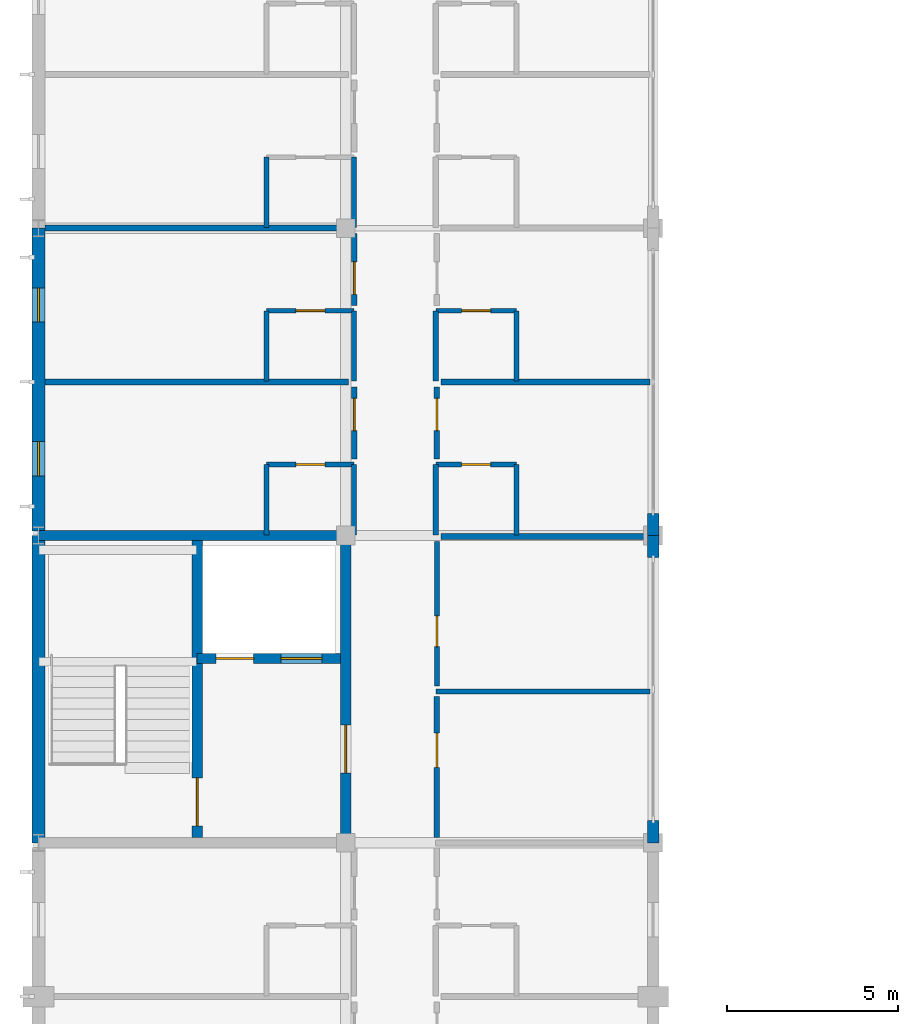
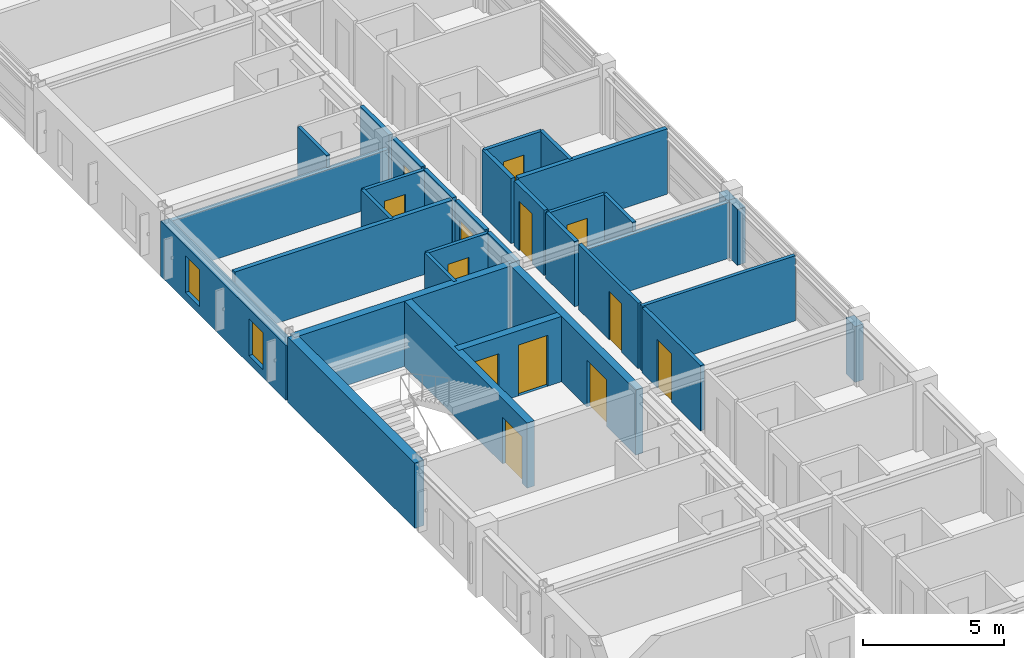
# One storey, part 22 of 37: 33 walls, 13 doors, 2 windows, 15 openings.
"""IFC4 building model written with IfcOpenShell, lengths in metres."""

from ifc_helpers import new_model, si_unit, direction, frame, frame_2d, origin, place, context, subcontext, project, spatial, rectangle, extrude, material, layer, layer_set, type_object, element, fill, save


model = new_model("IFC4")

# Units and contexts
model_context = context("Model", 3, precision=1e-05, world=origin(), true_north=direction((0.0, 1.0)))
body_context = subcontext(model_context, "Body", "Model", "MODEL_VIEW")
ifc_project = project(units=[si_unit("LENGTHUNIT", "METRE"), si_unit("AREAUNIT", "SQUARE_METRE"), si_unit("VOLUMEUNIT", "CUBIC_METRE"), si_unit("PLANEANGLEUNIT", "RADIAN"), si_unit("MASSUNIT", "GRAM", prefix="KILO")], contexts=[model_context])

# Site, building, storey
site_placement = place(None, origin())
site = spatial("IfcSite", under=ifc_project, at=site_placement, CompositionType="ELEMENT")
building_placement = place(site_placement, origin())
building = spatial("IfcBuilding", under=site, at=building_placement, Name="Palais des Congres Ocreval", CompositionType="ELEMENT")
storey_placement = place(building_placement, frame((0.0, 0.0, 11.52001953125)))
storey = spatial("IfcBuildingStorey", under=building, at=storey_placement, Name="L03", CompositionType="ELEMENT", Elevation=11.52001953125)

# Wall, opening, door
ifc_material_1 = material(Name="Moisture-resistant gypsum board")
ifc_layer_1 = layer(ifc_material_1, 0.139892578125)
ifc_layer_set_1 = layer_set([ifc_layer_1], Name="Bathroom Plumbing Chase Wall 140 Gypsum (Moisture-resistant gypsum board)")
wall_type_1 = type_object("IfcWallType", Name="Bathroom Plumbing Chase Wall 140 Gypsum", PredefinedType="PLUMBINGWALL", material=ifc_layer_set_1)
wall_1_placement = place(storey_placement, frame((6.679931640625, 47.080078125, 0.0), z_axis=(0.0, 0.0, 1.0), x_axis=(1.0, 0.0, 0.0)))
wall_1 = element("IfcWall", 1, at=wall_1_placement, inside=storey, type_object=wall_type_1, Name="Bathroom Plumbing Wall PW03 L03", PredefinedType="PLUMBINGWALL", context=body_context, shape_type="SweptSolid", body=[
    extrude(rectangle(XDim=2.56005859375, YDim=0.139892578125, at=frame_2d((1.280029296875, 0.0))), origin(), (0.0, 0.0, 1.0), 2.820068359375),
])
opening_1_placement = place(wall_1_placement, frame((0.85498046875, 0.0, 0.0)))
opening_1 = element("IfcOpeningElement", 2, at=opening_1_placement, cuts=wall_1, Name="Opening D08", PredefinedType="OPENING", context=body_context, shape_type="SweptSolid", body=[
    extrude(rectangle(XDim=0.85009765625, YDim=2.0400390625, at=frame_2d((0.425048828125, 1.02001953125))), frame((0.0, 0.079833984375, 0.0), z_axis=(0.0, -1.0, 0.0), x_axis=(1.0, 0.0, 0.0)), (0.0, 0.0, 1.0), 0.159912109375),
])
ifc_material_2 = material(Name="Solid French oak", Category="wood")
door_type_1 = type_object("IfcDoorType", Name="En-Suite Bathroom Door 850x2040", OperationType="NOTDEFINED", PredefinedType="DOOR", material=ifc_material_2)
door_1_placement = place(opening_1_placement, origin())
door_1 = element("IfcDoor", 3, at=door_1_placement, inside=storey, type_object=door_type_1, Name="En-Suite Bathroom Door D08 L03", OperationType="SINGLE_SWING_LEFT", OverallHeight=2.0400390625, OverallWidth=0.85009765625, PredefinedType="DOOR", context=body_context, shape_type="SweptSolid", body=[
    extrude(rectangle(XDim=0.85009765625, YDim=2.0400390625, at=frame_2d((0.425048828125, 1.02001953125))), frame((0.0, 0.02490234375, 0.0), z_axis=(0.0, -1.0, 0.0), x_axis=(1.0, 0.0, 0.0)), (0.0, 0.0, 1.0), 0.050048828125),
])
fill(opening_1, door_1)

# Wall
wall_2_placement = place(storey_placement, frame((6.679931640625, 45.02001953125, 0.0), z_axis=(0.0, 0.0, 1.0), x_axis=(0.0, 1.0, 0.0)))
element("IfcWall", 4, at=wall_2_placement, inside=storey, type_object=wall_type_1, Name="Bathroom Plumbing Wall PW03 L03", PredefinedType="PLUMBINGWALL", context=body_context, shape_type="SweptSolid", body=[
    extrude(rectangle(XDim=2.06005859375, YDim=0.139892578125, at=frame_2d((1.030029296875, 0.0))), origin(), (0.0, 0.0, 1.0), 2.820068359375),
])

# Wall, opening, door
wall_3_placement = place(storey_placement, frame((6.679931640625, 51.580078125, 0.0), z_axis=(0.0, 0.0, 1.0), x_axis=(1.0, 0.0, 0.0)))
wall_3 = element("IfcWall", 5, at=wall_3_placement, inside=storey, type_object=wall_type_1, Name="Bathroom Plumbing Wall PW03 L03", PredefinedType="PLUMBINGWALL", context=body_context, shape_type="SweptSolid", body=[
    extrude(rectangle(XDim=2.56005859375, YDim=0.139892578125, at=frame_2d((1.280029296875, 0.0))), origin(), (0.0, 0.0, 1.0), 2.820068359375),
])
opening_2_placement = place(wall_3_placement, frame((0.85498046875, 0.0, 0.0)))
opening_2 = element("IfcOpeningElement", 6, at=opening_2_placement, cuts=wall_3, Name="Opening D08", PredefinedType="OPENING", context=body_context, shape_type="SweptSolid", body=[
    extrude(rectangle(XDim=0.85009765625, YDim=2.0400390625, at=frame_2d((0.425048828125, 1.02001953125))), frame((0.0, 0.079833984375, 0.0), z_axis=(0.0, -1.0, 0.0), x_axis=(1.0, 0.0, 0.0)), (0.0, 0.0, 1.0), 0.159912109375),
])
door_2_placement = place(opening_2_placement, origin())
door_2 = element("IfcDoor", 7, at=door_2_placement, inside=storey, type_object=door_type_1, Name="En-Suite Bathroom Door D08 L03", OperationType="SINGLE_SWING_RIGHT", OverallHeight=2.0400390625, OverallWidth=0.85009765625, PredefinedType="DOOR", context=body_context, shape_type="SweptSolid", body=[
    extrude(rectangle(XDim=0.85009765625, YDim=2.0400390625, at=frame_2d((0.425048828125, 1.02001953125))), frame((0.0, 0.02490234375, 0.0), z_axis=(0.0, -1.0, 0.0), x_axis=(1.0, 0.0, 0.0)), (0.0, 0.0, 1.0), 0.050048828125),
])
fill(opening_2, door_2)

# Wall
wall_4_placement = place(storey_placement, frame((6.679931640625, 49.52001953125, 0.0), z_axis=(0.0, 0.0, 1.0), x_axis=(0.0, 1.0, 0.0)))
element("IfcWall", 8, at=wall_4_placement, inside=storey, type_object=wall_type_1, Name="Bathroom Plumbing Wall PW03 L03", PredefinedType="PLUMBINGWALL", context=body_context, shape_type="SweptSolid", body=[
    extrude(rectangle(XDim=2.06005859375, YDim=0.139892578125, at=frame_2d((1.030029296875, 0.0))), origin(), (0.0, 0.0, 1.0), 2.820068359375),
])

# Wall, opening, door
wall_5_placement = place(storey_placement, frame((11.639892578125, 47.080078125, 0.0), z_axis=(0.0, 0.0, 1.0), x_axis=(1.0, 0.0, 0.0)))
wall_5 = element("IfcWall", 9, at=wall_5_placement, inside=storey, type_object=wall_type_1, Name="Bathroom Plumbing Wall PW03 L03", PredefinedType="PLUMBINGWALL", context=body_context, shape_type="SweptSolid", body=[
    extrude(rectangle(XDim=2.360107421875, YDim=0.139892578125, at=frame_2d((1.18017578125, 0.0))), origin(), (0.0, 0.0, 1.0), 2.820068359375),
])
opening_3_placement = place(wall_5_placement, frame((0.7548828125, 0.0, 0.0)))
opening_3 = element("IfcOpeningElement", 10, at=opening_3_placement, cuts=wall_5, Name="Opening D08", PredefinedType="OPENING", context=body_context, shape_type="SweptSolid", body=[
    extrude(rectangle(XDim=0.85009765625, YDim=2.0400390625, at=frame_2d((0.425048828125, 1.02001953125))), frame((0.0, 0.079833984375, 0.0), z_axis=(0.0, -1.0, 0.0), x_axis=(1.0, 0.0, 0.0)), (0.0, 0.0, 1.0), 0.159912109375),
])
door_3_placement = place(opening_3_placement, origin())
door_3 = element("IfcDoor", 11, at=door_3_placement, inside=storey, type_object=door_type_1, Name="En-Suite Bathroom Door D08 L03", OperationType="SINGLE_SWING_LEFT", OverallHeight=2.0400390625, OverallWidth=0.85009765625, PredefinedType="DOOR", context=body_context, shape_type="SweptSolid", body=[
    extrude(rectangle(XDim=0.85009765625, YDim=2.0400390625, at=frame_2d((0.425048828125, 1.02001953125))), frame((0.0, 0.02490234375, 0.0), z_axis=(0.0, -1.0, 0.0), x_axis=(1.0, 0.0, 0.0)), (0.0, 0.0, 1.0), 0.050048828125),
])
fill(opening_3, door_3)

# Wall
wall_6_placement = place(storey_placement, frame((14.0, 45.02001953125, 0.0), z_axis=(0.0, 0.0, 1.0), x_axis=(0.0, 1.0, 0.0)))
element("IfcWall", 12, at=wall_6_placement, inside=storey, type_object=wall_type_1, Name="Bathroom Plumbing Wall PW03 L03", PredefinedType="PLUMBINGWALL", context=body_context, shape_type="SweptSolid", body=[
    extrude(rectangle(XDim=2.06005859375, YDim=0.139892578125, at=frame_2d((1.030029296875, 0.0))), origin(), (0.0, 0.0, 1.0), 2.820068359375),
])

# Wall, opening, door
wall_7_placement = place(storey_placement, frame((11.639892578125, 51.580078125, 0.0), z_axis=(0.0, 0.0, 1.0), x_axis=(1.0, 0.0, 0.0)))
wall_7 = element("IfcWall", 13, at=wall_7_placement, inside=storey, type_object=wall_type_1, Name="Bathroom Plumbing Wall PW03 L03", PredefinedType="PLUMBINGWALL", context=body_context, shape_type="SweptSolid", body=[
    extrude(rectangle(XDim=2.360107421875, YDim=0.139892578125, at=frame_2d((1.18017578125, 0.0))), origin(), (0.0, 0.0, 1.0), 2.820068359375),
])
opening_4_placement = place(wall_7_placement, frame((0.7548828125, 0.0, 0.0)))
opening_4 = element("IfcOpeningElement", 14, at=opening_4_placement, cuts=wall_7, Name="Opening D08", PredefinedType="OPENING", context=body_context, shape_type="SweptSolid", body=[
    extrude(rectangle(XDim=0.85009765625, YDim=2.0400390625, at=frame_2d((0.425048828125, 1.02001953125))), frame((0.0, 0.079833984375, 0.0), z_axis=(0.0, -1.0, 0.0), x_axis=(1.0, 0.0, 0.0)), (0.0, 0.0, 1.0), 0.159912109375),
])
door_4_placement = place(opening_4_placement, origin())
door_4 = element("IfcDoor", 15, at=door_4_placement, inside=storey, type_object=door_type_1, Name="En-Suite Bathroom Door D08 L03", OperationType="SINGLE_SWING_RIGHT", OverallHeight=2.0400390625, OverallWidth=0.85009765625, PredefinedType="DOOR", context=body_context, shape_type="SweptSolid", body=[
    extrude(rectangle(XDim=0.85009765625, YDim=2.0400390625, at=frame_2d((0.425048828125, 1.02001953125))), frame((0.0, 0.02490234375, 0.0), z_axis=(0.0, -1.0, 0.0), x_axis=(1.0, 0.0, 0.0)), (0.0, 0.0, 1.0), 0.050048828125),
])
fill(opening_4, door_4)

# Walls
for number, where, z_axis, x_axis, name in (
    (16, (14.0, 49.52001953125, 0.0), (0.0, 0.0, 1.0), (0.0, 1.0, 0.0), "Bathroom Plumbing Wall PW03 L03"),
    (17, (6.679931640625, 54.02001953125, 0.0), (0.0, 0.0, 1.0), (0.0, 1.0, 0.0), "Bathroom Plumbing Wall PW03 L03"),
):
    element("IfcWall", number, at=place(storey_placement, frame(where, z_axis=z_axis, x_axis=x_axis)), inside=storey, type_object=wall_type_1, Name=name, PredefinedType="PLUMBINGWALL", context=body_context, shape_type="SweptSolid", body=[
        extrude(rectangle(XDim=2.06005859375, YDim=0.139892578125, at=frame_2d((1.030029296875, 0.0))), origin(), (0.0, 0.0, 1.0), 2.820068359375),
    ])
wall_8_placement = place(storey_placement, frame((11.639892578125, 40.43505859375, 0.0), z_axis=(0.0, 0.0, 1.0), x_axis=(1.0, 0.0, 0.0)))
element("IfcWall", 18, at=wall_8_placement, inside=storey, type_object=wall_type_1, Name="Interior Partition PW03 L03", PredefinedType="PLUMBINGWALL", context=body_context, shape_type="SweptSolid", body=[
    extrude(rectangle(XDim=6.26513671875, YDim=0.139892578125, at=frame_2d((3.132568359375, 0.0))), origin(), (0.0, 0.0, 1.0), 2.820068359375),
])

# Wall, opening, door
wall_9_placement = place(storey_placement, frame((11.669921875, 40.590087890625, 0.0), z_axis=(0.0, 0.0, 1.0), x_axis=(0.0, 1.0, 0.0)))
wall_9 = element("IfcWall", 19, at=wall_9_placement, inside=storey, type_object=wall_type_1, Name="Interior Partition PW03 L03", PredefinedType="PLUMBINGWALL", context=body_context, shape_type="SweptSolid", body=[
    extrude(rectangle(XDim=4.22998046875, YDim=0.139892578125, at=frame_2d((2.114990234375, 0.0))), origin(), (0.0, 0.0, 1.0), 2.820068359375),
])
opening_5_placement = place(wall_9_placement, frame((1.157470703125, 0.0, 0.0)))
opening_5 = element("IfcOpeningElement", 20, at=opening_5_placement, cuts=wall_9, Name="Opening D09", PredefinedType="OPENING", context=body_context, shape_type="SweptSolid", body=[
    extrude(rectangle(XDim=0.89990234375, YDim=2.10009765625, at=frame_2d((0.449951171875, 1.050048828125))), frame((0.0, 0.079833984375, 0.0), z_axis=(0.0, -1.0, 0.0), x_axis=(1.0, 0.0, 0.0)), (0.0, 0.0, 1.0), 0.159912109375),
])
door_type_2 = type_object("IfcDoorType", Name="Accessible Restroom Door 900x2100", OperationType="NOTDEFINED", PredefinedType="DOOR", material=ifc_material_2)
door_5_placement = place(opening_5_placement, origin())
door_5 = element("IfcDoor", 21, at=door_5_placement, inside=storey, type_object=door_type_2, Name="Interior Door D09 L03", OperationType="SINGLE_SWING_LEFT", OverallHeight=2.10009765625, OverallWidth=0.89990234375, PredefinedType="DOOR", context=body_context, shape_type="SweptSolid", body=[
    extrude(rectangle(XDim=0.89990234375, YDim=2.10009765625, at=frame_2d((0.449951171875, 1.050048828125))), frame((0.0, 0.02490234375, 0.0), z_axis=(0.0, -1.0, 0.0), x_axis=(1.0, 0.0, 0.0)), (0.0, 0.0, 1.0), 0.050048828125),
])
fill(opening_5, door_5)

ifc_material_3 = material(Name="Concrete C40/50", Category="concrete")
ifc_layer_2 = layer(ifc_material_3, 0.300048828125)
ifc_layer_set_2 = layer_set([ifc_layer_2], Name="Core Shear Wall 300 Concrete C40/50")
wall_type_2 = type_object("IfcWallType", Name="Core Shear Wall 300 Concrete C40/50", PredefinedType="SHEAR", material=ifc_layer_set_2)
wall_10_placement = place(storey_placement, frame((9.0, 36.0, 0.0), z_axis=(0.0, 0.0, 1.0), x_axis=(0.0, 1.0, 0.0)))
wall_10 = element("IfcWall", 22, at=wall_10_placement, inside=storey, type_object=wall_type_2, Name="Core Shear Wall SC03 L03 E", PredefinedType="SHEAR", context=body_context, shape_type="SweptSolid", body=[
    extrude(rectangle(XDim=9.0, YDim=0.300048828125, at=frame_2d((4.5, 0.0))), origin(), (0.0, 0.0, 1.0), 2.820068359375),
])
opening_6_placement = place(wall_10_placement, frame((2.050048828125, 0.0, 0.0)))
opening_6 = element("IfcOpeningElement", 23, at=opening_6_placement, cuts=wall_10, Name="Opening D03", PredefinedType="OPENING", context=body_context, shape_type="SweptSolid", body=[
    extrude(rectangle(XDim=1.39990234375, YDim=2.02001953125, at=frame_2d((0.699951171875, 1.010009765625))), frame((0.0, 0.159912109375, 0.0), z_axis=(0.0, -1.0, 0.0), x_axis=(1.0, 0.0, 0.0)), (0.0, 0.0, 1.0), 0.320068359375),
])
ifc_material_4 = material(Name="Painted fire-rated steel", Category="steel")
door_type_3 = type_object("IfcDoorType", Name="Core Lobby Rated Door 1400x2020", OperationType="NOTDEFINED", PredefinedType="DOOR", material=ifc_material_4)
door_6_placement = place(opening_6_placement, origin())
door_6 = element("IfcDoor", 24, at=door_6_placement, inside=storey, type_object=door_type_3, Name="Firefighting Lobby Entrance Door SC03 L03", OperationType="DOUBLE_DOOR_SINGLE_SWING", OverallHeight=2.02001953125, OverallWidth=1.39990234375, PredefinedType="DOOR", context=body_context, shape_type="SweptSolid", body=[
    extrude(rectangle(XDim=1.39990234375, YDim=2.02001953125, at=frame_2d((0.699951171875, 1.010009765625))), frame((0.0, 0.02490234375, 0.0), z_axis=(0.0, -1.0, 0.0), x_axis=(1.0, 0.0, 0.0)), (0.0, 0.0, 1.0), 0.050048828125),
])
fill(opening_6, door_6)

# Wall
wall_11_placement = place(storey_placement, frame((0.0, 45.0, 0.0), z_axis=(0.0, 0.0, 1.0), x_axis=(1.0, 0.0, 0.0)))
element("IfcWall", 25, at=wall_11_placement, inside=storey, type_object=wall_type_2, Name="Core Shear Wall SC03 L03 N", PredefinedType="SHEAR", context=body_context, shape_type="SweptSolid", body=[
    extrude(rectangle(XDim=9.0, YDim=0.300048828125, at=frame_2d((4.5, 0.0))), origin(), (0.0, 0.0, 1.0), 2.820068359375),
])

# Wall, opening, door
wall_12_placement = place(storey_placement, frame((4.64990234375, 36.14990234375, 0.0), z_axis=(0.0, 0.0, 1.0), x_axis=(0.0, 1.0, 0.0)))
wall_12 = element("IfcWall", 26, at=wall_12_placement, inside=storey, type_object=wall_type_2, Name="Core Spine Shear Wall SC03 L03", PredefinedType="SHEAR", context=body_context, shape_type="SweptSolid", body=[
    extrude(rectangle(XDim=8.7001953125, YDim=0.300048828125, at=frame_2d((4.35009765625, 0.0))), origin(), (0.0, 0.0, 1.0), 2.820068359375),
])
opening_7_placement = place(wall_12_placement, frame((0.35009765625, 0.0, 0.0)))
opening_7 = element("IfcOpeningElement", 27, at=opening_7_placement, cuts=wall_12, Name="Opening D03", PredefinedType="OPENING", context=body_context, shape_type="SweptSolid", body=[
    extrude(rectangle(XDim=1.39990234375, YDim=2.02001953125, at=frame_2d((0.699951171875, 1.010009765625))), frame((0.0, 0.159912109375, 0.0), z_axis=(0.0, -1.0, 0.0), x_axis=(1.0, 0.0, 0.0)), (0.0, 0.0, 1.0), 0.320068359375),
])
door_7_placement = place(opening_7_placement, origin())
door_7 = element("IfcDoor", 28, at=door_7_placement, inside=storey, type_object=door_type_3, Name="Protected Exit Stair Door ST03 L03", OperationType="SINGLE_SWING_LEFT", OverallHeight=2.02001953125, OverallWidth=1.39990234375, PredefinedType="DOOR", context=body_context, shape_type="SweptSolid", body=[
    extrude(rectangle(XDim=1.39990234375, YDim=2.02001953125, at=frame_2d((0.699951171875, 1.010009765625))), frame((0.0, 0.02490234375, 0.0), z_axis=(0.0, -1.0, 0.0), x_axis=(1.0, 0.0, 0.0)), (0.0, 0.0, 1.0), 0.050048828125),
])
fill(opening_7, door_7)

# Wall, openings, doors
wall_13_placement = place(storey_placement, frame((4.64990234375, 41.39990234375, 0.0), z_axis=(0.0, 0.0, 1.0), x_axis=(1.0, 0.0, 0.0)))
wall_13 = element("IfcWall", 29, at=wall_13_placement, inside=storey, type_object=wall_type_2, Name="Lift Shaft Front Wall SC03 L03", PredefinedType="SHEAR", context=body_context, shape_type="SweptSolid", body=[
    extrude(rectangle(XDim=4.2001953125, YDim=0.300048828125, at=frame_2d((2.10009765625, 0.0))), origin(), (0.0, 0.0, 1.0), 2.820068359375),
])
opening_8_placement = place(wall_13_placement, frame((0.550048828125, 0.0, 0.0)))
opening_8 = element("IfcOpeningElement", 30, at=opening_8_placement, cuts=wall_13, Name="Opening LD01", PredefinedType="OPENING", context=body_context, shape_type="SweptSolid", body=[
    extrude(rectangle(XDim=1.10009765625, YDim=2.10009765625, at=frame_2d((0.550048828125, 1.050048828125))), frame((0.0, 0.159912109375, 0.0), z_axis=(0.0, -1.0, 0.0), x_axis=(1.0, 0.0, 0.0)), (0.0, 0.0, 1.0), 0.320068359375),
])
opening_9_placement = place(wall_13_placement, frame((2.449951171875, 0.0, 0.0)))
opening_9 = element("IfcOpeningElement", 31, at=opening_9_placement, cuts=wall_13, Name="Opening LD02", PredefinedType="OPENING", context=body_context, shape_type="SweptSolid", body=[
    extrude(rectangle(XDim=1.199951171875, YDim=2.199951171875, at=frame_2d((0.60009765625, 1.10009765625))), frame((0.0, 0.159912109375, 0.0), z_axis=(0.0, -1.0, 0.0), x_axis=(1.0, 0.0, 0.0)), (0.0, 0.0, 1.0), 0.320068359375),
])
ifc_material_5 = material(Name="Stainless steel", Category="steel")
door_type_4 = type_object("IfcDoorType", Name="Firefighting Lift Sliding Landing Door 1100x2100", OperationType="NOTDEFINED", PredefinedType="DOOR", material=ifc_material_5)
door_8_placement = place(opening_8_placement, origin())
door_8 = element("IfcDoor", 32, at=door_8_placement, inside=storey, type_object=door_type_4, Name="Lift Landing Sliding Door FF3 L03", OperationType="DOUBLE_DOOR_SLIDING", OverallHeight=2.10009765625, OverallWidth=1.10009765625, PredefinedType="DOOR", context=body_context, shape_type="SweptSolid", body=[
    extrude(rectangle(XDim=1.10009765625, YDim=2.10009765625, at=frame_2d((0.550048828125, 1.050048828125))), frame((0.0, 0.02490234375, 0.0), z_axis=(0.0, -1.0, 0.0), x_axis=(1.0, 0.0, 0.0)), (0.0, 0.0, 1.0), 0.050048828125),
])
fill(opening_8, door_8)
ifc_material_6 = material(Name="Anodized bronze steel", Category="steel")
door_type_5 = type_object("IfcDoorType", Name="Passenger and Service Lift Sliding Door 1200x2200", OperationType="NOTDEFINED", PredefinedType="DOOR", material=ifc_material_6)
door_9_placement = place(opening_9_placement, origin())
door_9 = element("IfcDoor", 33, at=door_9_placement, inside=storey, type_object=door_type_5, Name="Lift Landing Sliding Door PL3 L03", OperationType="DOUBLE_DOOR_SLIDING", OverallHeight=2.199951171875, OverallWidth=1.199951171875, PredefinedType="DOOR", context=body_context, shape_type="SweptSolid", body=[
    extrude(rectangle(XDim=1.199951171875, YDim=2.199951171875, at=frame_2d((0.60009765625, 1.10009765625))), frame((0.0, 0.02490234375, 0.0), z_axis=(0.0, -1.0, 0.0), x_axis=(1.0, 0.0, 0.0)), (0.0, 0.0, 1.0), 0.050048828125),
])
fill(opening_9, door_9)

# Walls
ifc_material_7 = material(Name="Gypsum acoustic partition")
ifc_layer_3 = layer(ifc_material_7, 0.159912109375)
ifc_layer_set_3 = layer_set([ifc_layer_3], Name="Corridor Fire Partition 160 Gypsum (Gypsum acoustic partition)")
wall_type_3 = type_object("IfcWallType", Name="Corridor Fire Partition 160 Gypsum", PredefinedType="PARTITIONING", material=ifc_layer_set_3)
for number, where, z_axis, x_axis, name in (
    (34, (9.239990234375, 45.02001953125, 0.0), (0.0, 0.0, 1.0), (0.0, 1.0, 0.0), "Corridor Partition IW03 L03"),
    (35, (9.239990234375, 49.52001953125, 0.0), (0.0, 0.0, 1.0), (0.0, 1.0, 0.0), "Corridor Partition IW03 L03"),
    (36, (11.639892578125, 45.02001953125, 0.0), (0.0, 0.0, 1.0), (0.0, 1.0, 0.0), "Corridor Partition IW03 L03"),
    (37, (11.639892578125, 49.52001953125, 0.0), (0.0, 0.0, 1.0), (0.0, 1.0, 0.0), "Corridor Partition IW03 L03"),
    (38, (9.239990234375, 54.02001953125, 0.0), (0.0, 0.0, 1.0), (0.0, 1.0, 0.0), "Corridor Partition IW03 L03"),
):
    element("IfcWall", number, at=place(storey_placement, frame(where, z_axis=z_axis, x_axis=x_axis)), inside=storey, type_object=wall_type_3, Name=name, PredefinedType="PARTITIONING", context=body_context, shape_type="SweptSolid", body=[
        extrude(rectangle(XDim=2.06005859375, YDim=0.159912109375, at=frame_2d((1.030029296875, 0.0))), origin(), (0.0, 0.0, 1.0), 2.820068359375),
    ])

# Wall, opening, door
wall_14_placement = place(storey_placement, frame((11.669921875, 36.155029296875, 0.0), z_axis=(0.0, 0.0, 1.0), x_axis=(0.0, 1.0, 0.0)))
wall_14 = element("IfcWall", 39, at=wall_14_placement, inside=storey, type_object=wall_type_3, Name="Interior Partition IW03 L03", PredefinedType="PARTITIONING", context=body_context, shape_type="SweptSolid", body=[
    extrude(rectangle(XDim=4.125, YDim=0.159912109375, at=frame_2d((2.0625, 0.0))), origin(), (0.0, 0.0, 1.0), 2.820068359375),
])
opening_10_placement = place(wall_14_placement, frame((2.0576171875, 0.0, 0.0)))
opening_10 = element("IfcOpeningElement", 40, at=opening_10_placement, cuts=wall_14, Name="Opening D10", PredefinedType="OPENING", context=body_context, shape_type="SweptSolid", body=[
    extrude(rectangle(XDim=1.0, YDim=2.10009765625, at=frame_2d((0.5, 1.050048828125))), frame((0.0, 0.08984375, 0.0), z_axis=(0.0, -1.0, 0.0), x_axis=(1.0, 0.0, 0.0)), (0.0, 0.0, 1.0), 0.179931640625),
])
ifc_material_8 = material(Name="Painted steel", Category="steel")
door_type_6 = type_object("IfcDoorType", Name="Service and Pantry Door 1000x2100", OperationType="NOTDEFINED", PredefinedType="DOOR", material=ifc_material_8)
door_10_placement = place(opening_10_placement, origin())
door_10 = element("IfcDoor", 41, at=door_10_placement, inside=storey, type_object=door_type_6, Name="Interior Door D10 L03", OperationType="SINGLE_SWING_RIGHT", OverallHeight=2.10009765625, OverallWidth=1.0, PredefinedType="DOOR", context=body_context, shape_type="SweptSolid", body=[
    extrude(rectangle(XDim=1.0, YDim=2.10009765625, at=frame_2d((0.5, 1.050048828125))), frame((0.0, 0.02490234375, 0.0), z_axis=(0.0, -1.0, 0.0), x_axis=(1.0, 0.0, 0.0)), (0.0, 0.0, 1.0), 0.050048828125),
])
fill(opening_10, door_10)

wall_15_placement = place(storey_placement, frame((9.25, 47.235107421875, 0.0), z_axis=(0.0, 0.0, 1.0), x_axis=(0.0, 1.0, 0.0)))
wall_15 = element("IfcWall", 42, at=wall_15_placement, inside=storey, type_object=wall_type_3, Name="Interior Partition IW03 L03", PredefinedType="PARTITIONING", context=body_context, shape_type="SweptSolid", body=[
    extrude(rectangle(XDim=2.10986328125, YDim=0.159912109375, at=frame_2d((1.054931640625, 0.0))), origin(), (0.0, 0.0, 1.0), 2.820068359375),
])
opening_11_placement = place(wall_15_placement, frame((0.833251953125, 0.0, 0.0)))
opening_11 = element("IfcOpeningElement", 43, at=opening_11_placement, cuts=wall_15, Name="Opening D05", PredefinedType="OPENING", context=body_context, shape_type="SweptSolid", body=[
    extrude(rectangle(XDim=0.949951171875, YDim=2.14990234375, at=frame_2d((0.47509765625, 1.074951171875))), frame((0.0, 0.08984375, 0.0), z_axis=(0.0, -1.0, 0.0), x_axis=(1.0, 0.0, 0.0)), (0.0, 0.0, 1.0), 0.179931640625),
])
door_type_7 = type_object("IfcDoorType", Name="Hotel Guestroom Entrance Door 950x2150", OperationType="NOTDEFINED", PredefinedType="DOOR", material=ifc_material_2)
door_11_placement = place(opening_11_placement, origin())
door_11 = element("IfcDoor", 44, at=door_11_placement, inside=storey, type_object=door_type_7, Name="Interior Door D05 L03", OperationType="SINGLE_SWING_LEFT", OverallHeight=2.14990234375, OverallWidth=0.949951171875, PredefinedType="DOOR", context=body_context, shape_type="SweptSolid", body=[
    extrude(rectangle(XDim=0.949951171875, YDim=2.14990234375, at=frame_2d((0.47509765625, 1.074951171875))), frame((0.0, 0.02490234375, 0.0), z_axis=(0.0, -1.0, 0.0), x_axis=(1.0, 0.0, 0.0)), (0.0, 0.0, 1.0), 0.050048828125),
])
fill(opening_11, door_11)

wall_16_placement = place(storey_placement, frame((9.25, 51.735107421875, 0.0), z_axis=(0.0, 0.0, 1.0), x_axis=(0.0, 1.0, 0.0)))
wall_16 = element("IfcWall", 45, at=wall_16_placement, inside=storey, type_object=wall_type_3, Name="Interior Partition IW03 L03", PredefinedType="PARTITIONING", context=body_context, shape_type="SweptSolid", body=[
    extrude(rectangle(XDim=2.10986328125, YDim=0.159912109375, at=frame_2d((1.054931640625, 0.0))), origin(), (0.0, 0.0, 1.0), 2.820068359375),
])
opening_12_placement = place(wall_16_placement, frame((0.326904296875, 0.0, 0.0)))
opening_12 = element("IfcOpeningElement", 46, at=opening_12_placement, cuts=wall_16, Name="Opening D05", PredefinedType="OPENING", context=body_context, shape_type="SweptSolid", body=[
    extrude(rectangle(XDim=0.949951171875, YDim=2.14990234375, at=frame_2d((0.47509765625, 1.074951171875))), frame((0.0, 0.08984375, 0.0), z_axis=(0.0, -1.0, 0.0), x_axis=(1.0, 0.0, 0.0)), (0.0, 0.0, 1.0), 0.179931640625),
])
door_12_placement = place(opening_12_placement, origin())
door_12 = element("IfcDoor", 47, at=door_12_placement, inside=storey, type_object=door_type_7, Name="Interior Door D05 L03", OperationType="SINGLE_SWING_RIGHT", OverallHeight=2.14990234375, OverallWidth=0.949951171875, PredefinedType="DOOR", context=body_context, shape_type="SweptSolid", body=[
    extrude(rectangle(XDim=0.949951171875, YDim=2.14990234375, at=frame_2d((0.47509765625, 1.074951171875))), frame((0.0, 0.02490234375, 0.0), z_axis=(0.0, -1.0, 0.0), x_axis=(1.0, 0.0, 0.0)), (0.0, 0.0, 1.0), 0.050048828125),
])
fill(opening_12, door_12)

wall_17_placement = place(storey_placement, frame((11.669921875, 47.235107421875, 0.0), z_axis=(0.0, 0.0, 1.0), x_axis=(0.0, 1.0, 0.0)))
wall_17 = element("IfcWall", 48, at=wall_17_placement, inside=storey, type_object=wall_type_3, Name="Interior Partition IW03 L03", PredefinedType="PARTITIONING", context=body_context, shape_type="SweptSolid", body=[
    extrude(rectangle(XDim=2.10986328125, YDim=0.159912109375, at=frame_2d((1.054931640625, 0.0))), origin(), (0.0, 0.0, 1.0), 2.820068359375),
])
opening_13_placement = place(wall_17_placement, frame((0.833251953125, 0.0, 0.0)))
opening_13 = element("IfcOpeningElement", 49, at=opening_13_placement, cuts=wall_17, Name="Opening D05", PredefinedType="OPENING", context=body_context, shape_type="SweptSolid", body=[
    extrude(rectangle(XDim=0.949951171875, YDim=2.14990234375, at=frame_2d((0.47509765625, 1.074951171875))), frame((0.0, 0.08984375, 0.0), z_axis=(0.0, -1.0, 0.0), x_axis=(1.0, 0.0, 0.0)), (0.0, 0.0, 1.0), 0.179931640625),
])
door_13_placement = place(opening_13_placement, origin())
door_13 = element("IfcDoor", 50, at=door_13_placement, inside=storey, type_object=door_type_7, Name="Interior Door D05 L03", OperationType="SINGLE_SWING_LEFT", OverallHeight=2.14990234375, OverallWidth=0.949951171875, PredefinedType="DOOR", context=body_context, shape_type="SweptSolid", body=[
    extrude(rectangle(XDim=0.949951171875, YDim=2.14990234375, at=frame_2d((0.47509765625, 1.074951171875))), frame((0.0, 0.02490234375, 0.0), z_axis=(0.0, -1.0, 0.0), x_axis=(1.0, 0.0, 0.0)), (0.0, 0.0, 1.0), 0.050048828125),
])
fill(opening_13, door_13)

# Walls
ifc_layer_4 = layer(ifc_material_7, 0.179931640625)
ifc_layer_set_4 = layer_set([ifc_layer_4], Name="Hotel Inter-Room Acoustic Partition 180 Gypsum (Gypsum acoustic partition)")
wall_type_4 = type_object("IfcWallType", Name="Hotel Inter-Room Acoustic Partition 180 Gypsum", PredefinedType="PARTITIONING", material=ifc_layer_set_4)
wall_18_placement = place(storey_placement, frame((11.794921875, 44.97509765625, 0.0), z_axis=(0.0, 0.0, 1.0), x_axis=(1.0, 0.0, 0.0)))
element("IfcWall", 51, at=wall_18_placement, inside=storey, type_object=wall_type_4, Name="Hotel Party Partition IW02 L03", PredefinedType="PARTITIONING", context=body_context, shape_type="SweptSolid", body=[
    extrude(rectangle(XDim=6.030029296875, YDim=0.179931640625, at=frame_2d((3.01513671875, 0.0))), origin(), (0.0, 0.0, 1.0), 2.419921875),
])
wall_19_placement = place(storey_placement, frame((0.195068359375, 49.5, 0.0), z_axis=(0.0, 0.0, 1.0), x_axis=(1.0, 0.0, 0.0)))
element("IfcWall", 52, at=wall_19_placement, inside=storey, type_object=wall_type_4, Name="Hotel Party Partition IW02 L03", PredefinedType="PARTITIONING", context=body_context, shape_type="SweptSolid", body=[
    extrude(rectangle(XDim=8.889892578125, YDim=0.179931640625, at=frame_2d((4.44482421875, 0.0))), origin(), (0.0, 0.0, 1.0), 2.820068359375),
])
wall_20_placement = place(storey_placement, frame((0.195068359375, 54.0, 0.0), z_axis=(0.0, 0.0, 1.0), x_axis=(1.0, 0.0, 0.0)))
element("IfcWall", 53, at=wall_20_placement, inside=storey, type_object=wall_type_4, Name="Hotel Party Partition IW02 L03", PredefinedType="PARTITIONING", context=body_context, shape_type="SweptSolid", body=[
    extrude(rectangle(XDim=8.889892578125, YDim=0.179931640625, at=frame_2d((4.44482421875, 0.0))), origin(), (0.0, 0.0, 1.0), 2.2900390625),
])
wall_21_placement = place(storey_placement, frame((11.794921875, 49.5, 0.0), z_axis=(0.0, 0.0, 1.0), x_axis=(1.0, 0.0, 0.0)))
element("IfcWall", 54, at=wall_21_placement, inside=storey, type_object=wall_type_4, Name="Hotel Party Partition IW02 L03", PredefinedType="PARTITIONING", context=body_context, shape_type="SweptSolid", body=[
    extrude(rectangle(XDim=6.110107421875, YDim=0.179931640625, at=frame_2d((3.05517578125, 0.0))), origin(), (0.0, 0.0, 1.0), 2.820068359375),
])
ifc_layer_5 = layer(ifc_material_3, 0.3798828125)
ifc_layer_set_5 = layer_set([ifc_layer_5], Name="Lutetian Limestone Street Wall 380 Concrete C40/50")
wall_type_5 = type_object("IfcWallType", Name="Lutetian Limestone Street Wall 380 Concrete C40/50", PredefinedType="SOLIDWALL", material=ifc_layer_set_5)
wall_22_placement = place(storey_placement, frame((0.0, 36.0, 0.0), z_axis=(0.0, 0.0, 1.0), x_axis=(0.0, 1.0, 0.0)))
element("IfcWall", 55, at=wall_22_placement, inside=storey, type_object=wall_type_5, Name="Core Perimeter Shear Wall EW03 SC03 L03", PredefinedType="SOLIDWALL", context=body_context, shape_type="SweptSolid", body=[
    extrude(rectangle(XDim=9.0, YDim=0.3798828125, at=frame_2d((4.5, 0.0))), origin(), (0.0, 0.0, 1.0), 2.820068359375),
])

# Wall, openings, windows
wall_23_placement = place(storey_placement, frame((0.0, 45.1298828125, 0.0), z_axis=(0.0, 0.0, 1.0), x_axis=(0.0, 1.0, 0.0)))
wall_23 = element("IfcWall", 56, at=wall_23_placement, inside=storey, type_object=wall_type_5, Name="Exterior Wall EW03 L03", PredefinedType="SOLIDWALL", context=body_context, shape_type="SweptSolid", body=[
    extrude(rectangle(XDim=8.8701171875, YDim=0.3798828125, at=frame_2d((4.43505859375, 0.0))), origin(), (0.0, 0.0, 1.0), 2.3798828125),
])
opening_14_placement = place(wall_23_placement, frame((1.6201171875, 0.0, 0.35009765625)))
opening_14 = element("IfcOpeningElement", 57, at=opening_14_placement, cuts=wall_23, Name="Opening WN18", PredefinedType="OPENING", context=body_context, shape_type="SweptSolid", body=[
    extrude(rectangle(XDim=1.0, YDim=1.60009765625, at=frame_2d((0.5, 0.800048828125))), frame((0.0, 0.199951171875, 0.0), z_axis=(0.0, -1.0, 0.0), x_axis=(1.0, 0.0, 0.0)), (0.0, 0.0, 1.0), 0.39990234375),
])
opening_15_placement = place(wall_23_placement, frame((6.1201171875, 0.0, 0.35009765625)))
opening_15 = element("IfcOpeningElement", 58, at=opening_15_placement, cuts=wall_23, Name="Opening WN18", PredefinedType="OPENING", context=body_context, shape_type="SweptSolid", body=[
    extrude(rectangle(XDim=1.0, YDim=1.60009765625, at=frame_2d((0.5, 0.800048828125))), frame((0.0, 0.199951171875, 0.0), z_axis=(0.0, -1.0, 0.0), x_axis=(1.0, 0.0, 0.0)), (0.0, 0.0, 1.0), 0.39990234375),
])
ifc_material_9 = material(Name="Anodized bronze aluminium and low-E glass", Category="glass")
window_type = type_object("IfcWindowType", Name="Stair and Lobby Daylight Window 1000x1600", PartitioningType="SINGLE_PANEL", PredefinedType="WINDOW", material=ifc_material_9)
window_1_placement = place(opening_14_placement, origin())
window_1 = element("IfcWindow", 59, at=window_1_placement, inside=storey, type_object=window_type, Name="Hotel Facade Window WN18", OverallHeight=1.60009765625, OverallWidth=1.0, PartitioningType="SINGLE_PANEL", PredefinedType="WINDOW", context=body_context, shape_type="SweptSolid", body=[
    extrude(rectangle(XDim=1.0, YDim=1.60009765625, at=frame_2d((0.5, 0.800048828125))), frame((0.0, 0.030029296875, 0.0), z_axis=(0.0, -1.0, 0.0), x_axis=(1.0, 0.0, 0.0)), (0.0, 0.0, 1.0), 0.06005859375),
])
fill(opening_14, window_1)
window_2_placement = place(opening_15_placement, origin())
window_2 = element("IfcWindow", 60, at=window_2_placement, inside=storey, type_object=window_type, Name="Hotel Facade Window WN18", OverallHeight=1.60009765625, OverallWidth=1.0, PartitioningType="SINGLE_PANEL", PredefinedType="WINDOW", context=body_context, shape_type="SweptSolid", body=[
    extrude(rectangle(XDim=1.0, YDim=1.60009765625, at=frame_2d((0.5, 0.800048828125))), frame((0.0, 0.030029296875, 0.0), z_axis=(0.0, -1.0, 0.0), x_axis=(1.0, 0.0, 0.0)), (0.0, 0.0, 1.0), 0.06005859375),
])
fill(opening_15, window_2)

# Walls
ifc_layer_6 = layer(ifc_material_3, 0.340087890625)
ifc_layer_set_6 = layer_set([ifc_layer_6], Name="Ochre Mineral-Lime Courtyard Wall 340 Concrete C40/50")
wall_type_6 = type_object("IfcWallType", Name="Ochre Mineral-Lime Courtyard Wall 340 Concrete C40/50", PredefinedType="SOLIDWALL", material=ifc_layer_set_6)
wall_24_placement = place(storey_placement, frame((18.0, 45.64990234375, 0.0), z_axis=(0.0, 0.0, 1.0), x_axis=(0.0, -1.0, 0.0)))
element("IfcWall", 61, at=wall_24_placement, inside=storey, type_object=wall_type_6, Name="Facade Pier EW04 L03", PredefinedType="SOLIDWALL", context=body_context, shape_type="SweptSolid", body=[
    extrude(rectangle(XDim=0.64990234375, YDim=0.340087890625, at=frame_2d((0.324951171875, 0.0))), origin(), (0.0, 0.0, 1.0), 2.3798828125),
])
for number, where, z_axis, x_axis, name in (
    (62, (18.0, 45.0, 0.0), (0.0, 0.0, 1.0), (0.0, -1.0, 0.0), "Facade Pier EW04 L03"),
    (63, (18.0, 36.64990234375, 0.0), (0.0, 0.0, 1.0), (0.0, -1.0, 0.0), "Facade Pier EW04 L03"),
):
    element("IfcWall", number, at=place(storey_placement, frame(where, z_axis=z_axis, x_axis=x_axis)), inside=storey, type_object=wall_type_6, Name=name, PredefinedType="SOLIDWALL", context=body_context, shape_type="SweptSolid", body=[
        extrude(rectangle(XDim=0.64990234375, YDim=0.340087890625, at=frame_2d((0.324951171875, 0.0))), origin(), (0.0, 0.0, 1.0), 2.419921875),
    ])

save(model, "model.ifc")
